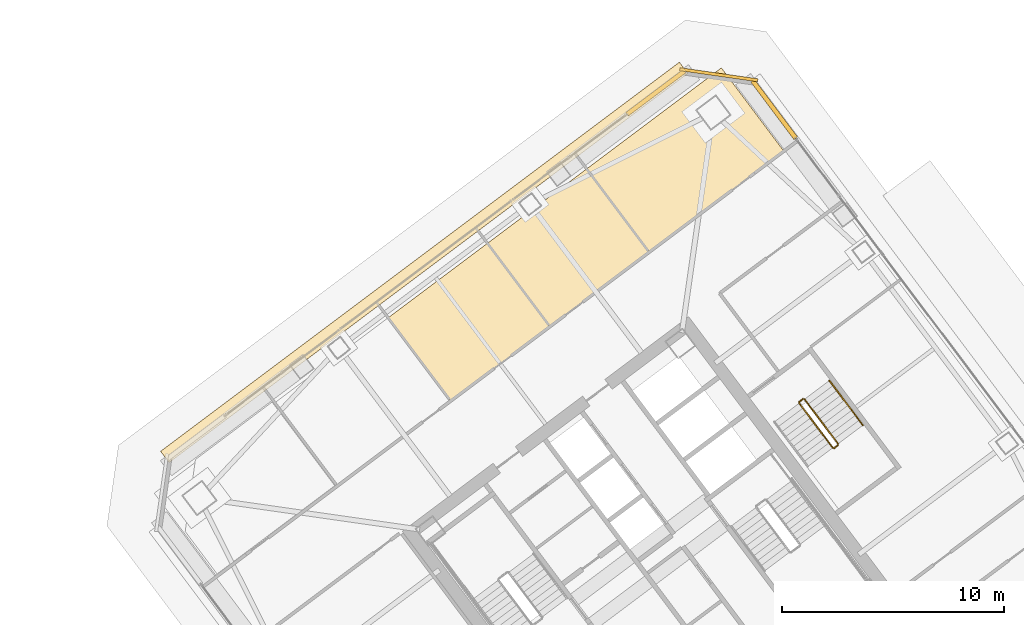
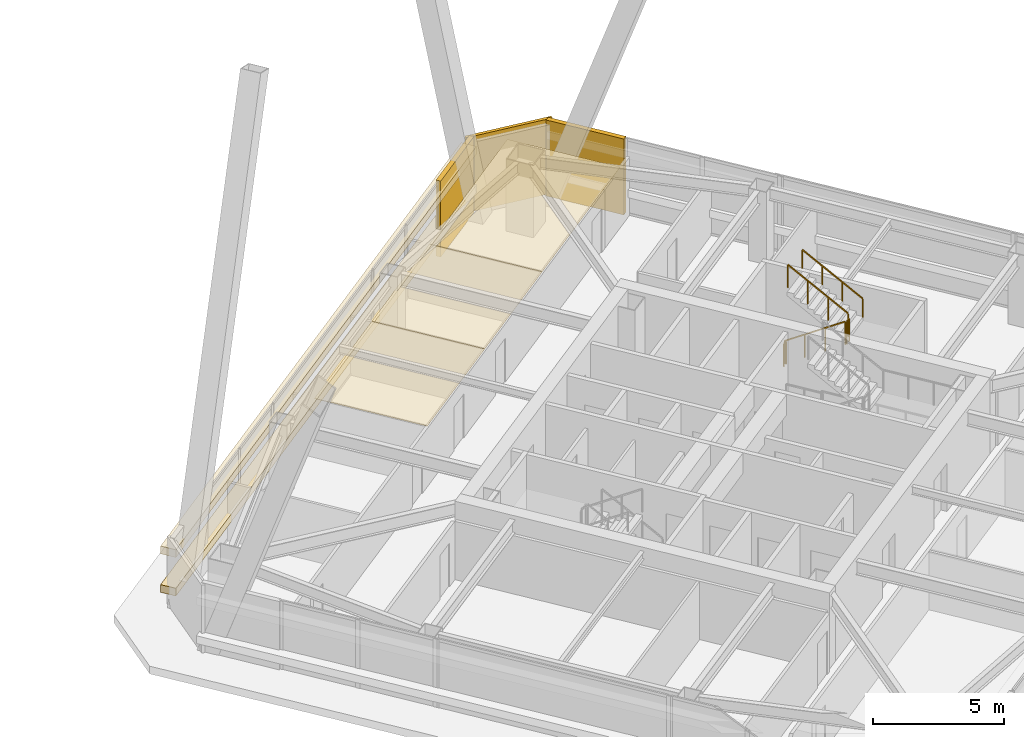
# One storey, part 64 of 65: 8 coverings, 5 railings.
"""IFC4 building model written with IfcOpenShell, lengths in metres."""

from ifc_helpers import new_model, si_unit, direction, frame, origin, origin_2d, place, context, subcontext, project, spatial, polyline, rectangle, outline, extrude, material, layer, layer_set, type_object, element, save


model = new_model("IFC4")

# Units and contexts
model_context = context("Model", 3, precision=1e-05, world=origin(), true_north=direction((0.0, 1.0)))
body_context = subcontext(model_context, "Body", "Model", "MODEL_VIEW")
ifc_project = project(units=[si_unit("LENGTHUNIT", "METRE"), si_unit("AREAUNIT", "SQUARE_METRE"), si_unit("VOLUMEUNIT", "CUBIC_METRE"), si_unit("PLANEANGLEUNIT", "RADIAN"), si_unit("MASSUNIT", "GRAM", prefix="KILO")], contexts=[model_context])

# Site, building, storey
site_placement = place(None, origin())
site = spatial("IfcSite", under=ifc_project, at=site_placement, CompositionType="ELEMENT")
building_placement = place(site_placement, origin())
building = spatial("IfcBuilding", under=site, at=building_placement, Name="Tashvorn Skyway Center", CompositionType="ELEMENT")
storey_placement = place(building_placement, frame((0.0, 0.0, 157.0)))
storey = spatial("IfcBuildingStorey", under=building, at=storey_placement, Name="L42", CompositionType="ELEMENT", Elevation=157.0)

# Coverings
ifc_material_1 = material(Name="Precast concrete C40/50", Category="concrete")
ifc_layer_1 = layer(ifc_material_1, 0.199951171875)
ifc_layer_set_1 = layer_set([ifc_layer_1], Name="Precast concrete C40/50")
covering_type_1 = type_object("IfcCoveringType", Name="COV-BRACE-CLAD", PredefinedType="CLADDING", material=ifc_layer_set_1)
for number, where, z_axis, x_axis, name in (
    (1, (114.300048828125, 53.199951171875, 0.0), (0.0, 0.0, 1.0), (0.799999996291, 0.600000004945, 0.0), "Tower 2 L42 North Unitised Curtain Wall Mega-Brace Cladding Band 2"),
    (2, (119.64794921875, 52.43603515625, 0.0), (0.0, 0.0, 1.0), (0.600000004945, -0.799999996291, 0.0), "Tower 2 L42 East Unitised Curtain Wall Mega-Brace Cladding Band 1"),
):
    element("IfcCovering", number, at=place(storey_placement, frame(where, z_axis=z_axis, x_axis=x_axis)), inside=storey, type_object=covering_type_1, Name=name, PredefinedType="CLADDING", context=body_context, shape_type="SweptSolid", body=[
        extrude(rectangle(XDim=3.239990234375, YDim=0.199951171875, at=origin_2d()), origin(), (0.0, 0.0, 1.0), 3.550048828125),
    ])
ifc_material_2 = material(Name="Mineral-fibre acoustic ceiling tile on suspended grid")
ifc_layer_2 = layer(ifc_material_2, 0.02001953125)
ifc_layer_set_2 = layer_set([ifc_layer_2], Name="Mineral-fibre acoustic ceiling tile on suspended grid")
covering_type_2 = type_object("IfcCoveringType", Name="COV-CEIL-20", PredefinedType="CEILING", material=ifc_layer_set_2)
covering_1_placement = place(storey_placement, frame((0.0, 0.0, 2.702880859375)))
element("IfcCovering", 3, at=covering_1_placement, inside=storey, type_object=covering_type_2, Name="Tower 2 L42 Staff Fitness Club Acoustic Ceiling", PredefinedType="CEILING", context=body_context, shape_type="SweptSolid", body=[
    extrude(outline(polyline([(105.0400390625, 39.280029296875), (109.52001953125, 42.639892578125), (106.699951171875, 46.39990234375), (102.219970703125, 43.0400390625), (105.0400390625, 39.280029296875)])), origin(), (0.0, 0.0, 1.0), 0.02001953125),
])
covering_2_placement = place(storey_placement, frame((0.0, 0.0, 2.702880859375)))
element("IfcCovering", 4, at=covering_2_placement, inside=storey, type_object=covering_type_2, Name="Tower 2 L42 Research Library Acoustic Ceiling", PredefinedType="CEILING", context=body_context, shape_type="SweptSolid", body=[
    extrude(outline(polyline([(109.52001953125, 42.639892578125), (114.0, 46.0), (111.179931640625, 49.760009765625), (106.699951171875, 46.39990234375), (109.52001953125, 42.639892578125)])), origin(), (0.0, 0.0, 1.0), 0.02001953125),
])
covering_3_placement = place(storey_placement, frame((0.0, 0.0, 2.702880859375)))
element("IfcCovering", 5, at=covering_3_placement, inside=storey, type_object=covering_type_2, Name="Tower 2 L42 Research Library Acoustic Ceiling", PredefinedType="CEILING", context=body_context, shape_type="SweptSolid", body=[
    extrude(outline(polyline([(114.0, 46.0), (120.080078125, 50.56005859375), (117.260009765625, 54.320068359375), (111.179931640625, 49.760009765625), (114.0, 46.0)])), origin(), (0.0, 0.0, 1.0), 0.02001953125),
])
ifc_material_3 = material(Name="Perforated ceramic-coated bronze aluminium solar screen", Category="aluminium")
ifc_layer_3 = layer(ifc_material_3, 0.85009765625)
ifc_layer_set_3 = layer_set([ifc_layer_3], Name="Perforated ceramic-coated bronze aluminium solar screen")
covering_type_3 = type_object("IfcCoveringType", Name="COV-SOLAR-BAND", PredefinedType="CLADDING", material=ifc_layer_set_3)
for number, where, z_axis, x_axis, name in (
    (6, (103.847900390625, 45.535888671875, 0.919921875), (0.0, 0.0, 1.0), (0.799999996291, 0.600000004945, 0.0), "L42 Perforated Ceramic-Metal Solar Screen Louvre Band North 1"),
    (7, (103.847900390625, 45.535888671875, 2.7197265625), (0.0, 0.0, 1.0), (0.799999996291, 0.600000004945, 0.0), "L42 Perforated Ceramic-Metal Solar Screen Louvre Band North 2"),
):
    element("IfcCovering", number, at=place(storey_placement, frame(where, z_axis=z_axis, x_axis=x_axis)), inside=storey, type_object=covering_type_3, Name=name, PredefinedType="CLADDING", context=body_context, shape_type="SweptSolid", body=[
        extrude(rectangle(XDim=29.280029296875, YDim=0.639892578125, at=origin_2d()), origin(), (0.0, 0.0, 1.0), 0.360107421875),
    ])
ifc_layer_4 = layer(ifc_material_1, 0.35009765625)
ifc_layer_set_4 = layer_set([ifc_layer_4], Name="Precast concrete C40/50")
covering_type_4 = type_object("IfcCoveringType", Name="COV-STONE-TRIM", PredefinedType="CLADDING", material=ifc_layer_set_4)
covering_4_placement = place(storey_placement, frame((117.14404296875, 54.008056640625, 0.02001953125), z_axis=(0.0, 0.0, 1.0), x_axis=(0.989949494535, -0.141421350118, 0.0)))
element("IfcCovering", 8, at=covering_4_placement, inside=storey, type_object=covering_type_4, Name="Tower 2 L42 NE Mojave Limestone Corner Quoin", PredefinedType="CLADDING", context=body_context, shape_type="SweptSolid", body=[
    extrude(rectangle(XDim=3.55419921875, YDim=0.139892578125, at=origin_2d()), origin(), (0.0, 0.0, 1.0), 3.510009765625),
])

# Railings
ifc_material_4 = material(Name="Brushed stainless steel 316", Category="steel")
railing_type_1 = type_object("IfcRailingType", Name="RAIL-HAND-920", PredefinedType="HANDRAIL", material=ifc_material_4)
railing_1_placement = place(storey_placement, frame((123.64794921875, 38.18603515625, 1.952392578125)))
element("IfcRailing", 9, at=railing_1_placement, inside=storey, type_object=railing_type_1, Name="L42 ST-T2-3 stair handrail 2", PredefinedType="HANDRAIL", context=body_context, shape_type="SweptSolid", body=[
    extrude(rectangle(XDim=0.048095703125, YDim=0.048095703125, at=origin_2d()), frame((0.0, 0.0, 0.8759765625), z_axis=(-0.50674661542, 0.675634878657, 0.535467439255), x_axis=(-0.79998837352, -0.60001550166, 0.0)), (0.0, 0.0, 1.0), 2.983642578125),
    extrude(rectangle(XDim=0.0419921875, YDim=0.0419921875, at=origin_2d()), origin(), (0.0, 0.0, 1.0), 0.851806640625),
    extrude(rectangle(XDim=0.0419921875, YDim=0.0419921875, at=origin_2d()), frame((-0.50390625, 0.671875, 0.532470703125)), (0.0, 0.0, 1.0), 0.851806640625),
    extrude(rectangle(XDim=0.0419921875, YDim=0.0419921875, at=origin_2d()), frame((-1.008056640625, 1.343994140625, 1.065185546875)), (0.0, 0.0, 1.0), 0.851806640625),
    extrude(rectangle(XDim=0.0419921875, YDim=0.0419921875, at=origin_2d()), frame((-1.511962890625, 2.015869140625, 1.59765625)), (0.0, 0.0, 1.0), 0.851806640625),
])
ifc_material_5 = material(Name="Painted galvanized steel S355", Category="steel")
railing_type_2 = type_object("IfcRailingType", Name="RAIL-STGUARD-1100", PredefinedType="GUARDRAIL", material=ifc_material_5)
railing_2_placement = place(storey_placement, frame((120.77587890625, 39.181884765625, 0.177490234375)))
element("IfcRailing", 10, at=railing_2_placement, inside=storey, type_object=railing_type_2, Name="L42 ST-T2-3 stair guard 1", PredefinedType="GUARDRAIL", context=body_context, shape_type="SweptSolid", body=[
    extrude(rectangle(XDim=0.048095703125, YDim=0.048095703125, at=origin_2d()), frame((0.0, 0.0, 1.076171875), z_axis=(0.506829628838, -0.67563646195, 0.535386868177), x_axis=(0.799941867976, 0.600077501544, 0.0)), (0.0, 0.0, 1.0), 2.983642578125),
    extrude(rectangle(XDim=0.0419921875, YDim=0.0419921875, at=origin_2d()), origin(), (0.0, 0.0, 1.0), 1.052001953125),
    extrude(rectangle(XDim=0.0419921875, YDim=0.0419921875, at=origin_2d()), frame((0.504150390625, -0.671875, 0.532470703125)), (0.0, 0.0, 1.0), 1.052001953125),
    extrude(rectangle(XDim=0.0419921875, YDim=0.0419921875, at=origin_2d()), frame((1.008056640625, -1.343994140625, 1.06494140625)), (0.0, 0.0, 1.0), 1.052001953125),
    extrude(rectangle(XDim=0.0419921875, YDim=0.0419921875, at=origin_2d()), frame((1.51220703125, -2.015869140625, 1.597412109375)), (0.0, 0.0, 1.0), 1.052001953125),
])
railing_3_placement = place(storey_placement, frame((122.35791015625, 37.156005859375, 1.77490234375)))
element("IfcRailing", 11, at=railing_3_placement, inside=storey, type_object=railing_type_2, Name="L42 ST-T2-3 stair guard 2", PredefinedType="GUARDRAIL", context=body_context, shape_type="SweptSolid", body=[
    extrude(rectangle(XDim=0.048095703125, YDim=0.048095703125, at=origin_2d()), frame((0.0, 0.0, 1.076171875), z_axis=(0.800585412921, 0.599218655098, 0.0), x_axis=(-0.599218655098, 0.800585412921, 0.0)), (0.0, 0.0, 1.0), 0.199951171875),
    extrude(rectangle(XDim=0.0419921875, YDim=0.0419921875, at=origin_2d()), origin(), (0.0, 0.0, 1.0), 1.052001953125),
    extrude(rectangle(XDim=0.0419921875, YDim=0.0419921875, at=origin_2d()), frame((0.16015625, 0.119873046875, 0.0)), (0.0, 0.0, 1.0), 1.052001953125),
])
railing_4_placement = place(storey_placement, frame((122.528076171875, 37.345947265625, 1.952392578125)))
element("IfcRailing", 12, at=railing_4_placement, inside=storey, type_object=railing_type_2, Name="L42 ST-T2-3 stair guard 3", PredefinedType="GUARDRAIL", context=body_context, shape_type="SweptSolid", body=[
    extrude(rectangle(XDim=0.048095703125, YDim=0.048095703125, at=origin_2d()), frame((0.0, 0.0, 1.076171875), z_axis=(-0.506718600913, 0.675679348675, 0.535437836974), x_axis=(-0.800023250257, -0.599968998406, 0.0)), (0.0, 0.0, 1.0), 2.98388671875),
    extrude(rectangle(XDim=0.0419921875, YDim=0.0419921875, at=origin_2d()), origin(), (0.0, 0.0, 1.0), 1.052001953125),
    extrude(rectangle(XDim=0.0419921875, YDim=0.0419921875, at=origin_2d()), frame((-0.50390625, 0.672119140625, 0.532470703125)), (0.0, 0.0, 1.0), 1.052001953125),
    extrude(rectangle(XDim=0.0419921875, YDim=0.0419921875, at=origin_2d()), frame((-1.008056640625, 1.343994140625, 1.065185546875)), (0.0, 0.0, 1.0), 1.052001953125),
    extrude(rectangle(XDim=0.0419921875, YDim=0.0419921875, at=origin_2d()), frame((-1.511962890625, 2.01611328125, 1.59765625)), (0.0, 0.0, 1.0), 1.052001953125),
])
railing_5_placement = place(storey_placement, frame((120.785888671875, 39.251953125, 0.0)))
element("IfcRailing", 13, at=railing_5_placement, inside=storey, type_object=railing_type_2, Name="L42 ST-T2-3 stair guard 4", PredefinedType="GUARDRAIL", context=body_context, shape_type="SweptSolid", body=[
    extrude(rectangle(XDim=0.048095703125, YDim=0.048095703125, at=origin_2d()), frame((0.0, 0.0, 1.076171875), z_axis=(0.8, 0.6, 0.0), x_axis=(-0.6, 0.8, 0.0)), (0.0, 0.0, 1.0), 0.2001953125),
    extrude(rectangle(XDim=0.0419921875, YDim=0.0419921875, at=origin_2d()), origin(), (0.0, 0.0, 1.0), 1.052001953125),
    extrude(rectangle(XDim=0.0419921875, YDim=0.0419921875, at=origin_2d()), frame((0.16015625, 0.1201171875, 0.0)), (0.0, 0.0, 1.0), 1.052001953125),
])

save(model, "model.ifc")
